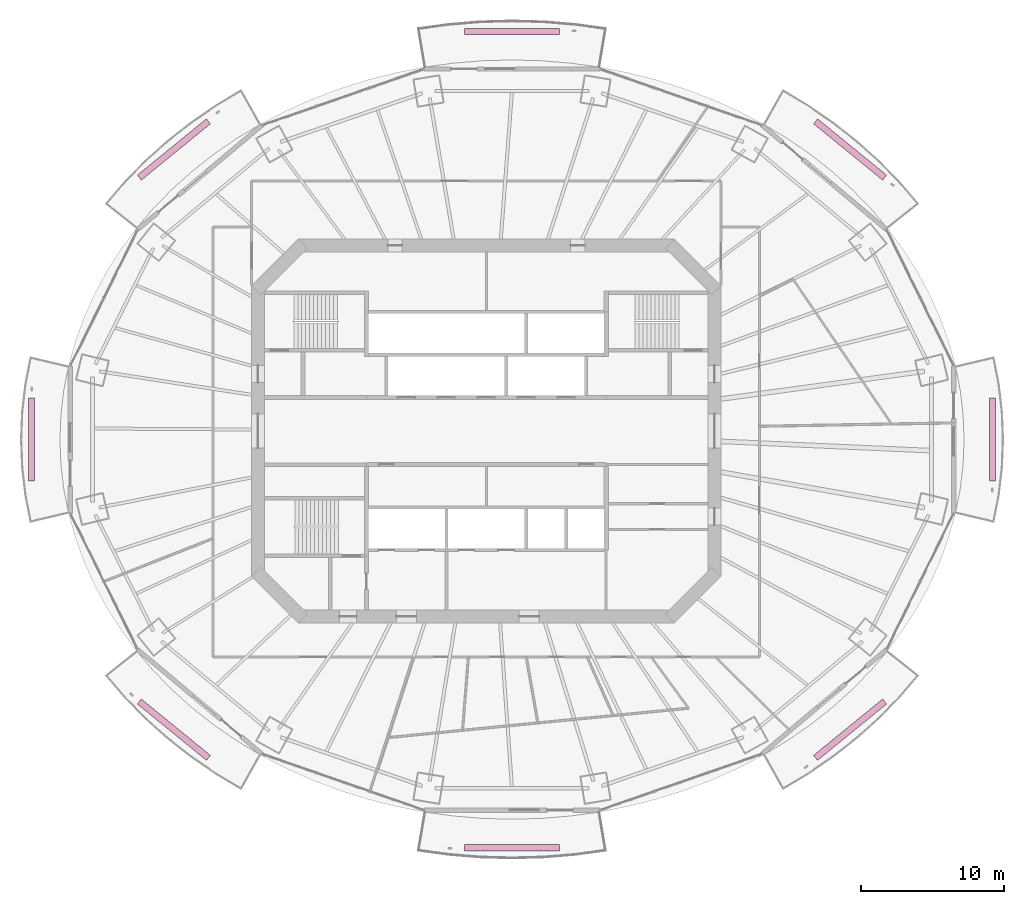
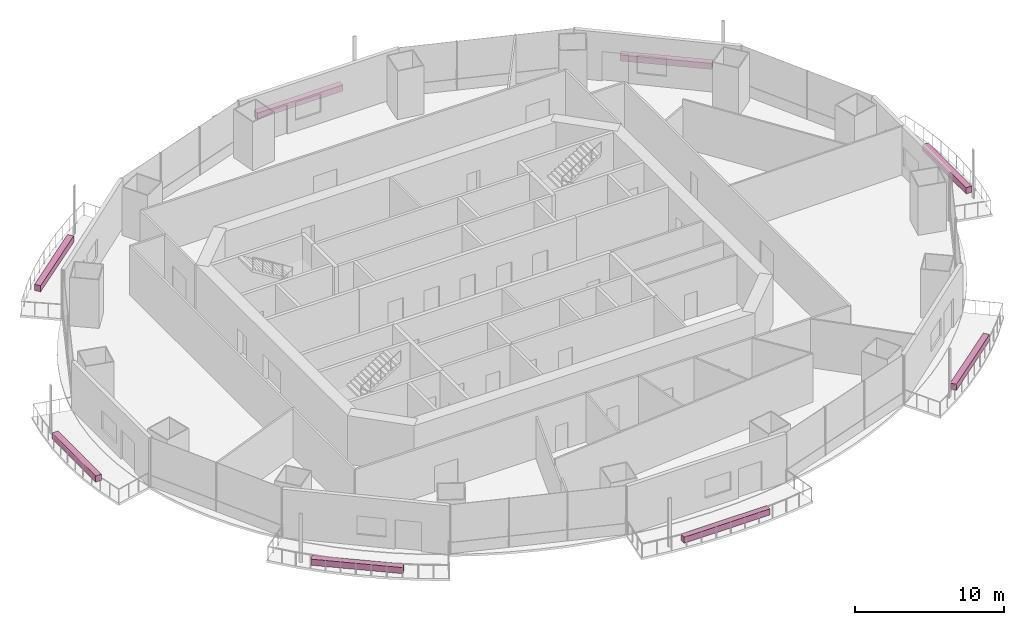
# One storey, part 21 of 21: 8 furnishings.
"""IFC4 building model written with IfcOpenShell, lengths in metres."""

from ifc_helpers import new_model, si_unit, direction, frame, origin, origin_2d, place, context, subcontext, project, spatial, rectangle, extrude, material, type_object, element, save


model = new_model("IFC4")

# Units and contexts
model_context = context("Model", 3, precision=1e-05, world=origin(), true_north=direction((0.0, 1.0)))
body_context = subcontext(model_context, "Body", "Model", "MODEL_VIEW")
ifc_project = project(units=[si_unit("LENGTHUNIT", "METRE"), si_unit("AREAUNIT", "SQUARE_METRE"), si_unit("VOLUMEUNIT", "CUBIC_METRE"), si_unit("PLANEANGLEUNIT", "RADIAN"), si_unit("MASSUNIT", "GRAM", prefix="KILO")], contexts=[model_context])

# Site, building, storey
site_placement = place(None, origin())
site = spatial("IfcSite", under=ifc_project, at=site_placement, CompositionType="ELEMENT")
building_placement = place(site_placement, origin())
building = spatial("IfcBuilding", under=site, at=building_placement, Name="Marenthal Gate Tower", CompositionType="ELEMENT")
storey_placement = place(building_placement, frame((0.0, 0.0, 202.550048828125)))
storey = spatial("IfcBuildingStorey", under=building, at=storey_placement, Name="L44", CompositionType="ELEMENT", Elevation=202.550048828125)

# Furnishings
ifc_material = material(Name="Planting soil and foliage", Category="planting")
furnishing_element_type = type_object("IfcFurnishingElementType", Name="Balcony PLANTER trough", material=ifc_material)
furnishing_1_placement = place(storey_placement, frame((25.501953125, 19.739501953125, -0.0400390625), z_axis=(0.0, 0.0, 1.0), x_axis=(-0.775359543863, 0.631520053316, 0.0)))
element("IfcFurnishingElement", 1, at=furnishing_1_placement, inside=storey, type_object=furnishing_element_type, Name="Balcony PLANTER L44 bay 2", ObjectType="PLANTER", context=body_context, shape_type="SweptSolid", body=[
    extrude(rectangle(XDim=6.248046875, YDim=0.449951171875, at=origin_2d()), origin(), (0.0, 0.0, 1.0), 0.5),
])
furnishing_2_placement = place(storey_placement, frame((1.800048828125, 28.010009765625, -0.0400390625), z_axis=(0.0, 0.0, 1.0), x_axis=(-1.0, 0.0, 0.0)))
element("IfcFurnishingElement", 2, at=furnishing_2_placement, inside=storey, type_object=furnishing_element_type, Name="Balcony PLANTER L44 bay 4", ObjectType="PLANTER", context=body_context, shape_type="SweptSolid", body=[
    extrude(rectangle(XDim=6.64404296875, YDim=0.449951171875, at=origin_2d()), origin(), (0.0, 0.0, 1.0), 0.5),
])
furnishing_3_placement = place(storey_placement, frame((-21.90185546875, 19.739501953125, -0.0400390625), z_axis=(0.0, 0.0, 1.0), x_axis=(-0.775359543863, -0.631520053316, 0.0)))
element("IfcFurnishingElement", 3, at=furnishing_3_placement, inside=storey, type_object=furnishing_element_type, Name="Balcony PLANTER L44 bay 6", ObjectType="PLANTER", context=body_context, shape_type="SweptSolid", body=[
    extrude(rectangle(XDim=6.248046875, YDim=0.449951171875, at=origin_2d()), origin(), (0.0, 0.0, 1.0), 0.5),
])
furnishing_4_placement = place(storey_placement, frame((-31.886962890625, -0.60009765625, -0.0400390625), z_axis=(0.0, 0.0, 1.0), x_axis=(0.0, -1.0, 0.0)))
element("IfcFurnishingElement", 4, at=furnishing_4_placement, inside=storey, type_object=furnishing_element_type, Name="Balcony PLANTER L44 bay 8", ObjectType="PLANTER", context=body_context, shape_type="SweptSolid", body=[
    extrude(rectangle(XDim=5.837646484375, YDim=0.449951171875, at=origin_2d()), origin(), (0.0, 0.0, 1.0), 0.5),
])
furnishing_5_placement = place(storey_placement, frame((-21.90185546875, -20.939697265625, -0.0400390625), z_axis=(0.0, 0.0, 1.0), x_axis=(0.775359543863, -0.631520053316, 0.0)))
element("IfcFurnishingElement", 5, at=furnishing_5_placement, inside=storey, type_object=furnishing_element_type, Name="Balcony PLANTER L44 bay 10", ObjectType="PLANTER", context=body_context, shape_type="SweptSolid", body=[
    extrude(rectangle(XDim=6.248046875, YDim=0.449951171875, at=origin_2d()), origin(), (0.0, 0.0, 1.0), 0.5),
])
furnishing_6_placement = place(storey_placement, frame((1.800048828125, -29.2099609375, -0.0400390625), z_axis=(0.0, 0.0, 1.0), x_axis=(1.0, 0.0, 0.0)))
element("IfcFurnishingElement", 6, at=furnishing_6_placement, inside=storey, type_object=furnishing_element_type, Name="Balcony PLANTER L44 bay 12", ObjectType="PLANTER", context=body_context, shape_type="SweptSolid", body=[
    extrude(rectangle(XDim=6.64404296875, YDim=0.449951171875, at=origin_2d()), origin(), (0.0, 0.0, 1.0), 0.5),
])
furnishing_7_placement = place(storey_placement, frame((25.501953125, -20.939697265625, -0.0400390625), z_axis=(0.0, 0.0, 1.0), x_axis=(0.775359543863, 0.631520053316, 0.0)))
element("IfcFurnishingElement", 7, at=furnishing_7_placement, inside=storey, type_object=furnishing_element_type, Name="Balcony PLANTER L44 bay 14", ObjectType="PLANTER", context=body_context, shape_type="SweptSolid", body=[
    extrude(rectangle(XDim=6.248046875, YDim=0.449951171875, at=origin_2d()), origin(), (0.0, 0.0, 1.0), 0.5),
])
furnishing_8_placement = place(storey_placement, frame((35.487060546875, -0.60009765625, -0.0400390625), z_axis=(0.0, 0.0, 1.0), x_axis=(0.0, 1.0, 0.0)))
element("IfcFurnishingElement", 8, at=furnishing_8_placement, inside=storey, type_object=furnishing_element_type, Name="Balcony PLANTER L44 bay 16", ObjectType="PLANTER", context=body_context, shape_type="SweptSolid", body=[
    extrude(rectangle(XDim=5.837646484375, YDim=0.449951171875, at=origin_2d()), origin(), (0.0, 0.0, 1.0), 0.5),
])

save(model, "model.ifc")
